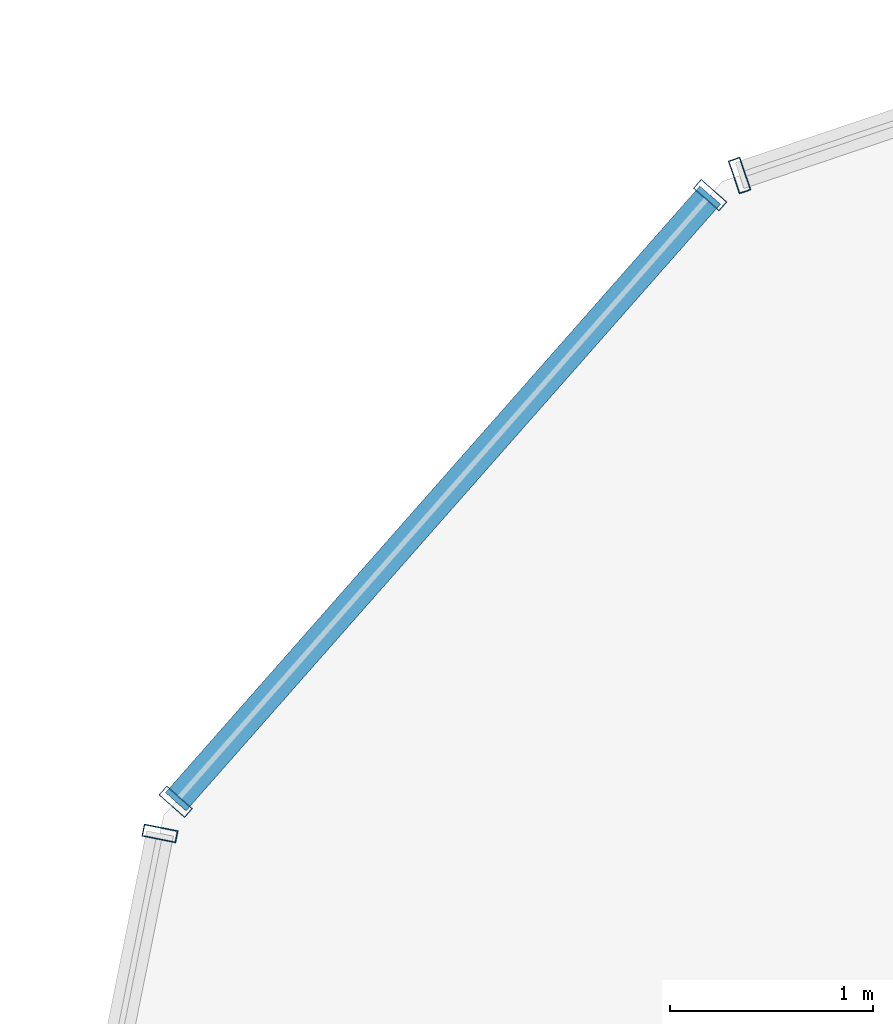
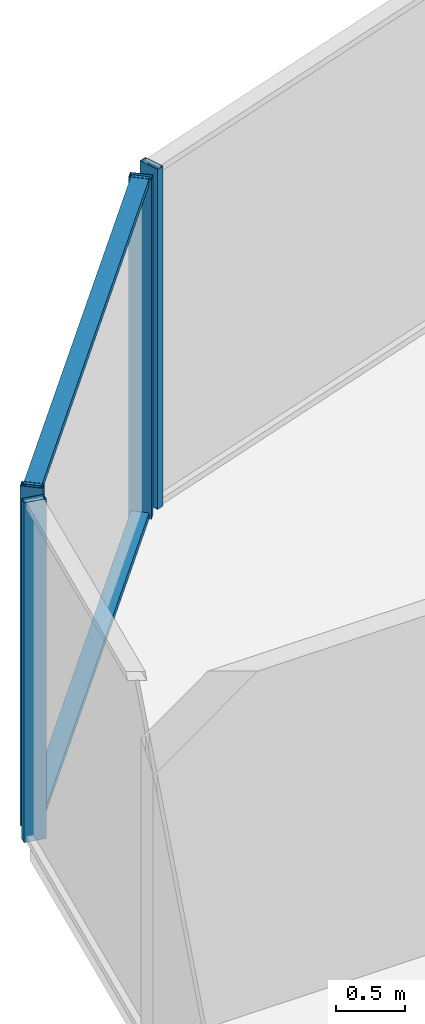
# One storey, part 20 of 32: 6 members, 3 elements without a shape of their own.
"""IFC4 building model written with IfcOpenShell, lengths in metres."""

from ifc_helpers import new_model, si_unit, direction, frame, origin, origin_2d, place, context, subcontext, project, spatial, hollow_rectangle, extrude, source, transform, mapped, material, layer, layer_set, material_profile, profile_set, type_object, element, aggregate, save


model = new_model("IFC4")

# Units and contexts
model_context = context("Model", 3, precision=1e-05, world=origin(), true_north=direction((0.0, 1.0)))
body_context = subcontext(model_context, "Body", "Model", "MODEL_VIEW")
ifc_project = project(units=[si_unit("LENGTHUNIT", "METRE"), si_unit("AREAUNIT", "SQUARE_METRE"), si_unit("VOLUMEUNIT", "CUBIC_METRE"), si_unit("PLANEANGLEUNIT", "RADIAN"), si_unit("MASSUNIT", "GRAM", prefix="KILO")], contexts=[model_context])

# Site, building, storey
site_placement = place(None, origin())
site = spatial("IfcSite", under=ifc_project, at=site_placement, CompositionType="ELEMENT")
building_placement = place(site_placement, origin())
building = spatial("IfcBuilding", under=site, at=building_placement, Name="Veraguas Prism Commons", CompositionType="ELEMENT")
storey_placement = place(building_placement, frame((0.0, 0.0, 89.449951171875)))
storey = spatial("IfcBuildingStorey", under=building, at=storey_placement, Name="L24", CompositionType="ELEMENT", Elevation=89.449951171875)

# Curtain wall, member
ifc_material = material(Name="Anodised aluminium EN AW-6063 T6", Category="aluminium")
ifc_layer = layer(ifc_material, 0.169921875, Name="Unitised Flush Curtain Wall Zone 2", Category="aluminium")
ifc_layer_set = layer_set([ifc_layer], Name="Anodised aluminium EN AW-6063 T6")
curtain_wall_type = type_object("IfcCurtainWallType", Name="Unitised Flush Curtain Wall Zone 2", PredefinedType="NOTDEFINED", material=ifc_layer_set)
curtain_wall_1_placement = place(storey_placement, origin())
curtain_wall_1 = element("IfcCurtainWall", 1, at=curtain_wall_1_placement, inside=storey, type_object=curtain_wall_type, Name="Tower Facade Curtain Wall L24-F2", PredefinedType="NOTDEFINED")
ifc_material_profile_1 = material_profile(ifc_material, hollow_rectangle(XDim=0.06005859375, YDim=0.169921875, WallThickness=0.00390625, at=origin_2d()), Name="AL60X170X4")
ifc_profile_set_1 = profile_set([ifc_material_profile_1], Name="Anodised aluminium EN AW-6063 T6")
member_type_1 = type_object("IfcMemberType", Name="Curtain Wall Mullion Lower AL 60x170x4", PredefinedType="MULLION", material=ifc_profile_set_1)
shared_shape_1 = source(origin(), body_context, "Body", "SweptSolid", [
    extrude(hollow_rectangle(XDim=0.06005859375, YDim=0.169921875, WallThickness=0.00390625, at=origin_2d()), origin(), (0.0, 0.0, 1.0), 3.0),
])
member_1_placement = place(storey_placement, frame((9.737548828125, 39.436767578125, 0.0), z_axis=(0.0, 0.0, 1.0), x_axis=(-0.94765924351, -0.319283507543, 0.0)))
member_1 = element("IfcMember", 2, at=member_1_placement, type_object=member_type_1, Name="CW-Z2 Mullion 5", PredefinedType="MULLION", context=body_context, shape_type="MappedRepresentation", body=[
    mapped(shared_shape_1, transform((0.0, 0.0, 0.0), scale=1.0)),
])
aggregate(curtain_wall_1, [member_1])

curtain_wall_2_placement = place(storey_placement, origin())
curtain_wall_2 = element("IfcCurtainWall", 3, at=curtain_wall_2_placement, inside=storey, type_object=curtain_wall_type, Name="Tower Facade Curtain Wall L24-F3", PredefinedType="NOTDEFINED")
member_2_placement = place(storey_placement, frame((6.88916015625, 36.203369140625, 0.0), z_axis=(0.0, 0.0, 1.0), x_axis=(-0.197320282199, -0.980339077173, 0.0)))
member_2 = element("IfcMember", 4, at=member_2_placement, type_object=member_type_1, Name="CW-Z2 Mullion 1", PredefinedType="MULLION", context=body_context, shape_type="MappedRepresentation", body=[
    mapped(shared_shape_1, transform((0.0, 0.0, 0.0), scale=1.0)),
])
aggregate(curtain_wall_2, [member_2])

# Curtain wall, members
curtain_wall_3_placement = place(storey_placement, origin())
curtain_wall_3 = element("IfcCurtainWall", 5, at=curtain_wall_3_placement, inside=storey, type_object=curtain_wall_type, Name="Chamfer Curtain Wall L24-C3", PredefinedType="NOTDEFINED")
member_3_placement = place(storey_placement, frame((9.5927734375, 39.34033203125, 0.0), z_axis=(0.0, 0.0, 1.0), x_axis=(-0.66102641387, -0.750362632443, 0.0)))
member_3 = element("IfcMember", 6, at=member_3_placement, type_object=member_type_1, Name="CW-Z2 Mullion 1", PredefinedType="MULLION", context=body_context, shape_type="MappedRepresentation", body=[
    mapped(shared_shape_1, transform((0.0, 0.0, 0.0), scale=1.0)),
])
member_4_placement = place(storey_placement, frame((6.96630859375, 36.359130859375, 0.0), z_axis=(0.0, 0.0, 1.0), x_axis=(-0.66102641387, -0.750362632443, 0.0)))
member_4 = element("IfcMember", 7, at=member_4_placement, type_object=member_type_1, Name="CW-Z2 Mullion 2", PredefinedType="MULLION", context=body_context, shape_type="MappedRepresentation", body=[
    mapped(shared_shape_1, transform((0.0, 0.0, 0.0), scale=1.0)),
])
ifc_material_profile_2 = material_profile(ifc_material, hollow_rectangle(XDim=0.054931640625, YDim=0.135009765625, WallThickness=0.0029296875, at=origin_2d()), Name="AL55X135X3")
ifc_profile_set_2 = profile_set([ifc_material_profile_2], Name="Anodised aluminium EN AW-6063 T6")
member_type_2 = type_object("IfcMemberType", Name="Curtain Wall Transom Standard AL 55x135x3", PredefinedType="USERDEFINED", material=ifc_profile_set_2)
shared_shape_2 = source(origin(), body_context, "Body", "SweptSolid", [
    extrude(hollow_rectangle(XDim=0.054931640625, YDim=0.135009765625, WallThickness=0.0029296875, at=origin_2d()), origin(), (0.0, 0.0, 1.0), 3.97314453125),
])
member_5_placement = place(storey_placement, frame((9.5927734375, 39.34033203125, 0.027587890625), z_axis=(-0.661054431437, -0.750337949645, 0.0), x_axis=(0.0, 0.0, 1.0)))
member_5 = element("IfcMember", 8, at=member_5_placement, type_object=member_type_2, Name="CW-Z2 Transom 1", ObjectType="TRANSOM", PredefinedType="USERDEFINED", context=body_context, shape_type="MappedRepresentation", body=[
    mapped(shared_shape_2, transform((0.0, 0.0, 0.0), scale=1.0)),
])
member_6_placement = place(storey_placement, frame((9.5927734375, 39.34033203125, 2.97265625), z_axis=(-0.661054431437, -0.750337949645, 0.0), x_axis=(0.0, 0.0, 1.0)))
member_6 = element("IfcMember", 9, at=member_6_placement, type_object=member_type_2, Name="CW-Z2 Transom 2", ObjectType="TRANSOM", PredefinedType="USERDEFINED", context=body_context, shape_type="MappedRepresentation", body=[
    mapped(shared_shape_2, transform((0.0, 0.0, 0.0), scale=1.0)),
])
aggregate(curtain_wall_3, [member_3, member_4, member_5, member_6])

save(model, "model.ifc")
